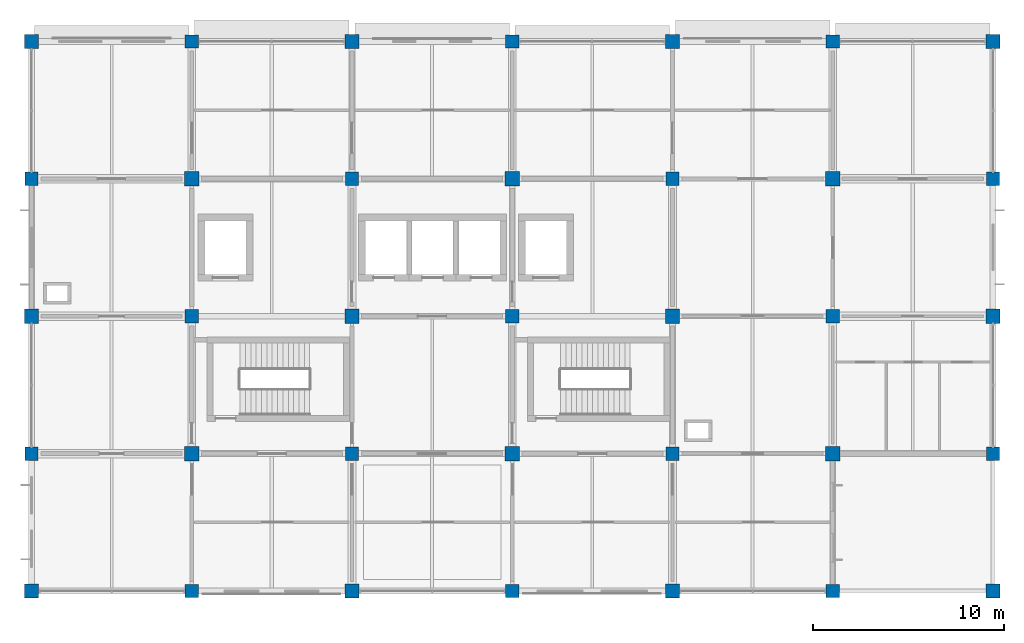
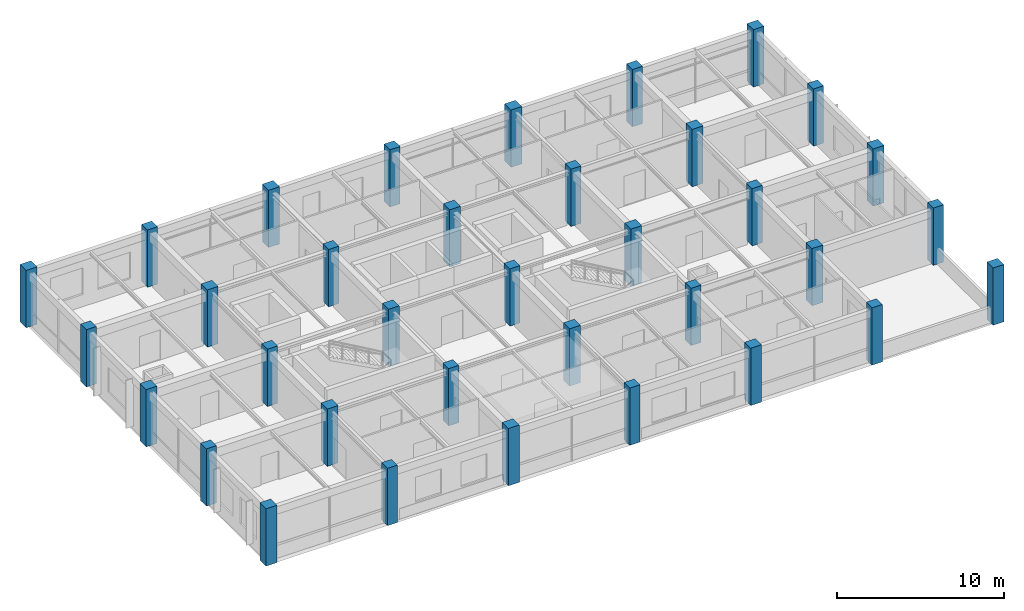
# One storey, part 1 of 14: 35 columns.
"""IFC4 building model written with IfcOpenShell, lengths in metres."""

from ifc_helpers import new_model, si_unit, derived_unit, direction, frame, origin, origin_2d, place, context, subcontext, project, spatial, rectangle, extrude, material, material_profile, profile_set, type_object, element, save


model = new_model("IFC4")

# Units and contexts
model_context = context("Model", 3, precision=1e-05, world=origin(), true_north=direction((0.0, 1.0)))
body_context = subcontext(model_context, "Body", "Model", "MODEL_VIEW")
ifc_project = project(units=[si_unit("LENGTHUNIT", "METRE"), si_unit("AREAUNIT", "SQUARE_METRE"), si_unit("VOLUMEUNIT", "CUBIC_METRE"), si_unit("PLANEANGLEUNIT", "RADIAN"), si_unit("MASSUNIT", "GRAM", prefix="KILO"), derived_unit("THERMALTRANSMITTANCEUNIT", [(si_unit("MASSUNIT", "GRAM", prefix="KILO"), 1), (si_unit("TIMEUNIT", "SECOND"), -3), (si_unit("THERMODYNAMICTEMPERATUREUNIT", "KELVIN"), -1)])], contexts=[model_context])

# Site, building, storey
site_placement = place(None, origin())
site = spatial("IfcSite", under=ifc_project, at=site_placement, CompositionType="ELEMENT")
building_placement = place(site_placement, origin())
building = spatial("IfcBuilding", under=site, at=building_placement, Name="Veldstrom Oceanarium and Marine Research Institute", CompositionType="ELEMENT")
storey_placement = place(building_placement, frame((0.0, 0.0, 35.39990234375)))
storey = spatial("IfcBuildingStorey", under=building, at=storey_placement, Name="L07", CompositionType="ELEMENT", Elevation=35.39990234375)

# Columns
ifc_material_1 = material(Name="Concrete C50/60", Category="concrete")
ifc_material_profile_1 = material_profile(ifc_material_1, rectangle(XDim=0.75, YDim=0.75, at=origin_2d()), Name="RC-COL-750x750")
ifc_profile_set_1 = profile_set([ifc_material_profile_1], Name="Concrete C50/60")
column_type_1 = type_object("IfcColumnType", Name="STR-COL-C05", PredefinedType="COLUMN", material=ifc_profile_set_1)
for number, where, z_axis, x_axis, name in (
    (1, (67.199951171875, 43.199951171875, 0.0), (0.0, 0.0, 1.0), (1.0, 0.0, 0.0), "Column C05 9/G L07"),
    (2, (67.199951171875, 57.60009765625, 0.0), (0.0, 0.0, 1.0), (1.0, 0.0, 0.0), "Column C05 9/J L07"),
    (3, (67.199951171875, 72.0, 0.0), (0.0, 0.0, 1.0), (1.0, 0.0, 0.0), "Column C05 9/L L07"),
    (4, (75.60009765625, 50.39990234375, 0.0), (0.0, 0.0, 1.0), (1.0, 0.0, 0.0), "Column C05 10/H L07"),
    (5, (75.60009765625, 64.800048828125, 0.0), (0.0, 0.0, 1.0), (1.0, 0.0, 0.0), "Column C05 10/K L07"),
    (6, (84.0, 43.199951171875, 0.0), (0.0, 0.0, 1.0), (1.0, 0.0, 0.0), "Column C05 11/G L07"),
    (7, (84.0, 57.60009765625, 0.0), (0.0, 0.0, 1.0), (1.0, 0.0, 0.0), "Column C05 11/J L07"),
    (8, (84.0, 72.0, 0.0), (0.0, 0.0, 1.0), (1.0, 0.0, 0.0), "Column C05 11/L L07"),
    (9, (92.39990234375, 50.39990234375, 0.0), (0.0, 0.0, 1.0), (1.0, 0.0, 0.0), "Column C05 12/H L07"),
    (10, (92.39990234375, 64.800048828125, 0.0), (0.0, 0.0, 1.0), (1.0, 0.0, 0.0), "Column C05 12/K L07"),
    (11, (100.800048828125, 43.199951171875, 0.0), (0.0, 0.0, 1.0), (1.0, 0.0, 0.0), "Column C05 13/G L07"),
    (12, (100.800048828125, 57.60009765625, 0.0), (0.0, 0.0, 1.0), (1.0, 0.0, 0.0), "Column C05 13/J L07"),
    (13, (100.800048828125, 72.0, 0.0), (0.0, 0.0, 1.0), (1.0, 0.0, 0.0), "Column C05 13/L L07"),
    (14, (109.199951171875, 50.39990234375, 0.0), (0.0, 0.0, 1.0), (1.0, 0.0, 0.0), "Column C05 14/H L07"),
    (15, (109.199951171875, 64.800048828125, 0.0), (0.0, 0.0, 1.0), (1.0, 0.0, 0.0), "Column C05 14/K L07"),
    (16, (117.60009765625, 43.199951171875, 0.0), (0.0, 0.0, 1.0), (1.0, 0.0, 0.0), "Column C05 15/G L07"),
    (17, (117.60009765625, 57.60009765625, 0.0), (0.0, 0.0, 1.0), (1.0, 0.0, 0.0), "Column C05 15/J L07"),
    (18, (117.60009765625, 72.0, 0.0), (0.0, 0.0, 1.0), (1.0, 0.0, 0.0), "Column C05 15/L L07"),
):
    element("IfcColumn", number, at=place(storey_placement, frame(where, z_axis=z_axis, x_axis=x_axis)), inside=storey, type_object=column_type_1, Name=name, PredefinedType="COLUMN", context=body_context, shape_type="SweptSolid", body=[
        extrude(rectangle(XDim=0.75, YDim=0.75, at=origin_2d()), origin(), (0.0, 0.0, 1.0), 4.2001953125),
    ])
ifc_material_2 = material(Name="Concrete C50/60", Category="concrete")
ifc_material_profile_2 = material_profile(ifc_material_2, rectangle(XDim=0.699951171875, YDim=0.699951171875, at=origin_2d()), Name="RC-COL-700x700")
ifc_profile_set_2 = profile_set([ifc_material_profile_2], Name="Concrete C50/60")
column_type_2 = type_object("IfcColumnType", Name="STR-COL-C06", PredefinedType="COLUMN", material=ifc_profile_set_2)
for number, where, z_axis, x_axis, name in (
    (19, (67.199951171875, 50.39990234375, 0.0), (0.0, 0.0, 1.0), (1.0, 0.0, 0.0), "Column C06 9/H L07"),
    (20, (67.199951171875, 64.800048828125, 0.0), (0.0, 0.0, 1.0), (1.0, 0.0, 0.0), "Column C06 9/K L07"),
    (21, (75.60009765625, 43.199951171875, 0.0), (0.0, 0.0, 1.0), (1.0, 0.0, 0.0), "Column C06 10/G L07"),
    (22, (75.60009765625, 57.60009765625, 0.0), (0.0, 0.0, 1.0), (1.0, 0.0, 0.0), "Column C06 10/J L07"),
    (23, (75.60009765625, 72.0, 0.0), (0.0, 0.0, 1.0), (1.0, 0.0, 0.0), "Column C06 10/L L07"),
    (24, (84.0, 50.39990234375, 0.0), (0.0, 0.0, 1.0), (1.0, 0.0, 0.0), "Column C06 11/H L07"),
    (25, (84.0, 64.800048828125, 0.0), (0.0, 0.0, 1.0), (1.0, 0.0, 0.0), "Column C06 11/K L07"),
    (26, (92.39990234375, 43.199951171875, 0.0), (0.0, 0.0, 1.0), (1.0, 0.0, 0.0), "Column C06 12/G L07"),
    (27, (92.39990234375, 57.60009765625, 0.0), (0.0, 0.0, 1.0), (1.0, 0.0, 0.0), "Column C06 12/J L07"),
    (28, (92.39990234375, 72.0, 0.0), (0.0, 0.0, 1.0), (1.0, 0.0, 0.0), "Column C06 12/L L07"),
    (29, (100.800048828125, 50.39990234375, 0.0), (0.0, 0.0, 1.0), (1.0, 0.0, 0.0), "Column C06 13/H L07"),
    (30, (100.800048828125, 64.800048828125, 0.0), (0.0, 0.0, 1.0), (1.0, 0.0, 0.0), "Column C06 13/K L07"),
    (31, (109.199951171875, 43.199951171875, 0.0), (0.0, 0.0, 1.0), (1.0, 0.0, 0.0), "Column C06 14/G L07"),
    (32, (109.199951171875, 57.60009765625, 0.0), (0.0, 0.0, 1.0), (1.0, 0.0, 0.0), "Column C06 14/J L07"),
    (33, (109.199951171875, 72.0, 0.0), (0.0, 0.0, 1.0), (1.0, 0.0, 0.0), "Column C06 14/L L07"),
    (34, (117.60009765625, 50.39990234375, 0.0), (0.0, 0.0, 1.0), (1.0, 0.0, 0.0), "Column C06 15/H L07"),
    (35, (117.60009765625, 64.800048828125, 0.0), (0.0, 0.0, 1.0), (1.0, 0.0, 0.0), "Column C06 15/K L07"),
):
    element("IfcColumn", number, at=place(storey_placement, frame(where, z_axis=z_axis, x_axis=x_axis)), inside=storey, type_object=column_type_2, Name=name, PredefinedType="COLUMN", context=body_context, shape_type="SweptSolid", body=[
        extrude(rectangle(XDim=0.699951171875, YDim=0.699951171875, at=origin_2d()), origin(), (0.0, 0.0, 1.0), 4.2001953125),
    ])

save(model, "model.ifc")
